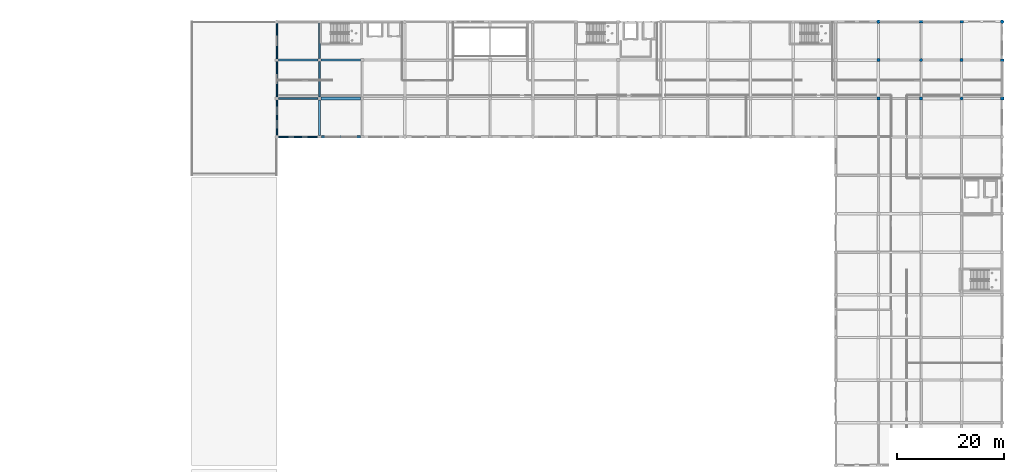
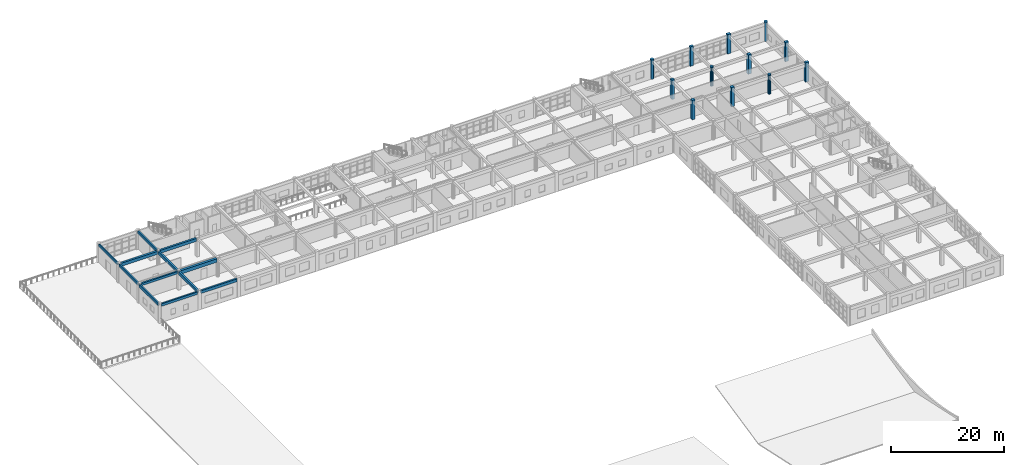
# One storey, part 8 of 53: 12 beams, 12 columns.
"""IFC4 building model written with IfcOpenShell, lengths in metres."""

from ifc_helpers import new_model, si_unit, direction, frame, origin, origin_2d, place, context, subcontext, project, spatial, rectangle, circle, extrude, material, material_profile, profile_set, type_object, element, save


model = new_model("IFC4")

# Units and contexts
model_context = context("Model", 3, precision=1e-05, world=origin(), true_north=direction((0.0, 1.0)))
body_context = subcontext(model_context, "Body", "Model", "MODEL_VIEW")
ifc_project = project(units=[si_unit("LENGTHUNIT", "METRE"), si_unit("AREAUNIT", "SQUARE_METRE"), si_unit("VOLUMEUNIT", "CUBIC_METRE"), si_unit("PLANEANGLEUNIT", "RADIAN"), si_unit("MASSUNIT", "GRAM", prefix="KILO")], contexts=[model_context])

# Site, building, storey
site_placement = place(None, origin())
site = spatial("IfcSite", under=ifc_project, at=site_placement, CompositionType="ELEMENT")
building_placement = place(site_placement, origin())
building = spatial("IfcBuilding", under=site, at=building_placement, Name="Kharva Crest Polytechnic", CompositionType="ELEMENT")
storey_placement = place(building_placement, frame((0.0, 0.0, 17.39990234375)))
storey = spatial("IfcBuildingStorey", under=building, at=storey_placement, Name="L04", CompositionType="ELEMENT", Elevation=17.39990234375)

# Columns
ifc_material_1 = material(Name="Concrete C40/50", Category="concrete")
ifc_material_profile_1 = material_profile(ifc_material_1, rectangle(XDim=0.679931640625, YDim=0.5, at=origin_2d()), Name="RECT 680 X 500")
ifc_profile_set_1 = profile_set([ifc_material_profile_1], Name="Concrete C40/50")
column_type_1 = type_object("IfcColumnType", Name="COL-EXT-680X500", PredefinedType="COLUMN", material=ifc_profile_set_1)
for number, where, z_axis, x_axis, name in (
    (1, (176.39990234375, 122.0, 0.0), (0.0, 0.0, 1.0), (1.0, 0.0, 0.0), "L04 Column 23/S"),
    (2, (184.0, 114.800048828125, 0.0), (0.0, 0.0, 1.0), (1.0, 0.0, 0.0), "L04 Column 24/R"),
):
    element("IfcColumn", number, at=place(storey_placement, frame(where, z_axis=z_axis, x_axis=x_axis)), inside=storey, type_object=column_type_1, Name=name, PredefinedType="COLUMN", context=body_context, shape_type="SweptSolid", body=[
        extrude(rectangle(XDim=0.679931640625, YDim=0.5, at=origin_2d()), origin(), (0.0, 0.0, 1.0), 4.2001953125),
    ])
ifc_material_profile_2 = material_profile(ifc_material_1, rectangle(XDim=0.699951171875, YDim=0.5, at=origin_2d()), Name="RECT 700 X 500")
ifc_profile_set_2 = profile_set([ifc_material_profile_2], Name="Concrete C40/50")
column_type_2 = type_object("IfcColumnType", Name="COL-EXT-700X500", PredefinedType="COLUMN", material=ifc_profile_set_2)
for number, where, z_axis, x_axis, name in (
    (3, (168.800048828125, 122.0, 0.0), (0.0, 0.0, 1.0), (1.0, 0.0, 0.0), "L04 Column 22/S"),
    (4, (184.0, 107.60009765625, 0.0), (0.0, 0.0, 1.0), (1.0, 0.0, 0.0), "L04 Column 24/Q"),
):
    element("IfcColumn", number, at=place(storey_placement, frame(where, z_axis=z_axis, x_axis=x_axis)), inside=storey, type_object=column_type_2, Name=name, PredefinedType="COLUMN", context=body_context, shape_type="SweptSolid", body=[
        extrude(rectangle(XDim=0.699951171875, YDim=0.5, at=origin_2d()), origin(), (0.0, 0.0, 1.0), 4.2001953125),
    ])
ifc_material_profile_3 = material_profile(ifc_material_1, circle(Radius=0.320068359375, at=origin_2d()), Name="DIA 640")
ifc_profile_set_3 = profile_set([ifc_material_profile_3], Name="Concrete C40/50")
column_type_3 = type_object("IfcColumnType", Name="COL-EXT-DIA640", PredefinedType="COLUMN", material=ifc_profile_set_3)
for number, where, z_axis, x_axis, name in (
    (5, (160.800048828125, 122.0, 0.0), (0.0, 0.0, 1.0), (1.0, 0.0, 0.0), "L04 Column 21/S"),
    (6, (184.0, 122.0, 0.0), (0.0, 0.0, 1.0), (1.0, 0.0, 0.0), "L04 Column 24/S"),
):
    element("IfcColumn", number, at=place(storey_placement, frame(where, z_axis=z_axis, x_axis=x_axis)), inside=storey, type_object=column_type_3, Name=name, PredefinedType="COLUMN", context=body_context, shape_type="SweptSolid", body=[
        extrude(circle(Radius=0.320068359375, at=origin_2d()), origin(), (0.0, 0.0, 1.0), 4.2001953125),
    ])
ifc_material_profile_4 = material_profile(ifc_material_1, rectangle(XDim=0.580078125, YDim=0.580078125, at=origin_2d()), Name="RECT 580 X 580")
ifc_profile_set_4 = profile_set([ifc_material_profile_4], Name="Concrete C40/50")
column_type_4 = type_object("IfcColumnType", Name="COL-INT-580X580", PredefinedType="COLUMN", material=ifc_profile_set_4)
for number, where, z_axis, x_axis, name in (
    (7, (160.800048828125, 114.800048828125, 0.0), (0.0, 0.0, 1.0), (1.0, 0.0, 0.0), "L04 Column 21/R"),
    (8, (168.800048828125, 107.60009765625, 0.0), (0.0, 0.0, 1.0), (1.0, 0.0, 0.0), "L04 Column 22/Q"),
):
    element("IfcColumn", number, at=place(storey_placement, frame(where, z_axis=z_axis, x_axis=x_axis)), inside=storey, type_object=column_type_4, Name=name, PredefinedType="COLUMN", context=body_context, shape_type="SweptSolid", body=[
        extrude(rectangle(XDim=0.580078125, YDim=0.580078125, at=origin_2d()), origin(), (0.0, 0.0, 1.0), 4.2001953125),
    ])
ifc_material_profile_5 = material_profile(ifc_material_1, rectangle(XDim=0.60009765625, YDim=0.60009765625, at=origin_2d()), Name="RECT 600 X 600")
ifc_profile_set_5 = profile_set([ifc_material_profile_5], Name="Concrete C40/50")
column_type_5 = type_object("IfcColumnType", Name="COL-INT-600X600", PredefinedType="COLUMN", material=ifc_profile_set_5)
for number, where, z_axis, x_axis, name in (
    (9, (160.800048828125, 107.60009765625, 0.0), (0.0, 0.0, 1.0), (1.0, 0.0, 0.0), "L04 Column 21/Q"),
    (10, (176.39990234375, 114.800048828125, 0.0), (0.0, 0.0, 1.0), (1.0, 0.0, 0.0), "L04 Column 23/R"),
):
    element("IfcColumn", number, at=place(storey_placement, frame(where, z_axis=z_axis, x_axis=x_axis)), inside=storey, type_object=column_type_5, Name=name, PredefinedType="COLUMN", context=body_context, shape_type="SweptSolid", body=[
        extrude(rectangle(XDim=0.60009765625, YDim=0.60009765625, at=origin_2d()), origin(), (0.0, 0.0, 1.0), 4.2001953125),
    ])
ifc_material_profile_6 = material_profile(ifc_material_1, circle(Radius=0.2900390625, at=origin_2d()), Name="DIA 580")
ifc_profile_set_6 = profile_set([ifc_material_profile_6], Name="Concrete C40/50")
column_type_6 = type_object("IfcColumnType", Name="COL-INT-DIA580", PredefinedType="COLUMN", material=ifc_profile_set_6)
for number, where, z_axis, x_axis, name in (
    (11, (168.800048828125, 114.800048828125, 0.0), (0.0, 0.0, 1.0), (1.0, 0.0, 0.0), "L04 Column 22/R"),
    (12, (176.39990234375, 107.60009765625, 0.0), (0.0, 0.0, 1.0), (1.0, 0.0, 0.0), "L04 Column 23/Q"),
):
    element("IfcColumn", number, at=place(storey_placement, frame(where, z_axis=z_axis, x_axis=x_axis)), inside=storey, type_object=column_type_6, Name=name, PredefinedType="COLUMN", context=body_context, shape_type="SweptSolid", body=[
        extrude(circle(Radius=0.2900390625, at=origin_2d()), origin(), (0.0, 0.0, 1.0), 4.2001953125),
    ])

# Beams
ifc_material_2 = material(Name="Concrete C35/45", Category="concrete")
ifc_material_profile_7 = material_profile(ifc_material_2, rectangle(XDim=0.320068359375, YDim=0.5, at=origin_2d()), Name="RECT 320 X 500")
ifc_profile_set_7 = profile_set([ifc_material_profile_7], Name="Concrete C35/45")
beam_type_1 = type_object("IfcBeamType", Name="BM-RC-320X500", PredefinedType="BEAM", material=ifc_profile_set_7)
beam_1_placement = place(storey_placement, frame((48.35009765625, 107.60009765625, 3.72021484375), z_axis=(1.0, 0.0, 0.0), x_axis=(0.0, 1.0, 0.0)))
element("IfcBeam", 13, at=beam_1_placement, inside=storey, type_object=beam_type_1, Name="L04 Beam Q/7-8", PredefinedType="BEAM", context=body_context, shape_type="SweptSolid", body=[
    extrude(rectangle(XDim=0.320068359375, YDim=0.5, at=origin_2d()), origin(), (0.0, 0.0, 1.0), 7.35986328125),
])
ifc_material_profile_8 = material_profile(ifc_material_2, rectangle(XDim=0.340087890625, YDim=0.52001953125, at=origin_2d()), Name="RECT 340 X 520")
ifc_profile_set_8 = profile_set([ifc_material_profile_8], Name="Concrete C35/45")
beam_type_2 = type_object("IfcBeamType", Name="BM-RC-340X520", PredefinedType="BEAM", material=ifc_profile_set_8)
beam_2_placement = place(storey_placement, frame((56.0, 115.090087890625, 3.710205078125), z_axis=(0.0, 1.0, 0.0), x_axis=(-1.0, 0.0, 0.0)))
element("IfcBeam", 14, at=beam_2_placement, inside=storey, type_object=beam_type_2, Name="L04 Girder 8/R-S", PredefinedType="BEAM", context=body_context, shape_type="SweptSolid", body=[
    extrude(rectangle(XDim=0.340087890625, YDim=0.52001953125, at=origin_2d()), origin(), (0.0, 0.0, 1.0), 6.659912109375),
])
ifc_material_profile_9 = material_profile(ifc_material_2, rectangle(XDim=0.360107421875, YDim=0.580078125, at=origin_2d()), Name="RECT 360 X 580")
ifc_profile_set_9 = profile_set([ifc_material_profile_9], Name="Concrete C35/45")
beam_type_3 = type_object("IfcBeamType", Name="BM-RC-360X580", PredefinedType="BEAM", material=ifc_profile_set_9)
beam_3_placement = place(storey_placement, frame((56.0, 107.889892578125, 3.68017578125), z_axis=(0.0, 1.0, 0.0), x_axis=(-1.0, 0.0, 0.0)))
element("IfcBeam", 15, at=beam_3_placement, inside=storey, type_object=beam_type_3, Name="L04 Girder 8/Q-R", PredefinedType="BEAM", context=body_context, shape_type="SweptSolid", body=[
    extrude(rectangle(XDim=0.360107421875, YDim=0.580078125, at=origin_2d()), origin(), (0.0, 0.0, 1.0), 6.6201171875),
])
ifc_material_profile_10 = material_profile(ifc_material_2, rectangle(XDim=0.39990234375, YDim=0.580078125, at=origin_2d()), Name="RECT 400 X 580")
ifc_profile_set_10 = profile_set([ifc_material_profile_10], Name="Concrete C35/45")
beam_type_4 = type_object("IfcBeamType", Name="BM-RC-400X580", PredefinedType="BEAM", material=ifc_profile_set_10)
beam_4_placement = place(storey_placement, frame((56.0, 100.64990234375, 3.68017578125), z_axis=(0.0, 1.0, 0.0), x_axis=(-1.0, 0.0, 0.0)))
element("IfcBeam", 16, at=beam_4_placement, inside=storey, type_object=beam_type_4, Name="L04 Girder 8/P-Q", PredefinedType="BEAM", context=body_context, shape_type="SweptSolid", body=[
    extrude(rectangle(XDim=0.39990234375, YDim=0.580078125, at=origin_2d()), origin(), (0.0, 0.0, 1.0), 6.66015625),
])
ifc_material_profile_11 = material_profile(ifc_material_2, rectangle(XDim=0.39990234375, YDim=0.64990234375, at=origin_2d()), Name="RECT 400 X 650")
ifc_profile_set_11 = profile_set([ifc_material_profile_11], Name="Concrete C35/45")
beam_type_5 = type_object("IfcBeamType", Name="BM-RC-400X650", PredefinedType="BEAM", material=ifc_profile_set_11)
beam_5_placement = place(storey_placement, frame((56.2900390625, 114.800048828125, 3.64501953125), z_axis=(1.0, 0.0, 0.0), x_axis=(0.0, 1.0, 0.0)))
element("IfcBeam", 17, at=beam_5_placement, inside=storey, type_object=beam_type_5, Name="L04 Beam R/8-9", PredefinedType="BEAM", context=body_context, shape_type="SweptSolid", body=[
    extrude(rectangle(XDim=0.39990234375, YDim=0.64990234375, at=origin_2d()), origin(), (0.0, 0.0, 1.0), 7.409912109375),
])
ifc_material_profile_12 = material_profile(ifc_material_2, rectangle(XDim=0.419921875, YDim=0.659912109375, at=origin_2d()), Name="RECT 420 X 660")
ifc_profile_set_12 = profile_set([ifc_material_profile_12], Name="Concrete C35/45")
beam_type_6 = type_object("IfcBeamType", Name="BM-RC-420X660", PredefinedType="BEAM", material=ifc_profile_set_12)
beam_6_placement = place(storey_placement, frame((48.340087890625, 114.800048828125, 3.64013671875), z_axis=(1.0, 0.0, 0.0), x_axis=(0.0, 1.0, 0.0)))
element("IfcBeam", 18, at=beam_6_placement, inside=storey, type_object=beam_type_6, Name="L04 Beam R/7-8", PredefinedType="BEAM", context=body_context, shape_type="SweptSolid", body=[
    extrude(rectangle(XDim=0.419921875, YDim=0.659912109375, at=origin_2d()), origin(), (0.0, 0.0, 1.0), 7.369873046875),
])
ifc_material_profile_13 = material_profile(ifc_material_2, rectangle(XDim=0.47998046875, YDim=0.75, at=origin_2d()), Name="RECT 480 X 750")
ifc_profile_set_13 = profile_set([ifc_material_profile_13], Name="Concrete C35/45")
beam_type_7 = type_object("IfcBeamType", Name="BM-RC-480X750", PredefinedType="BEAM", material=ifc_profile_set_13)
beam_7_placement = place(storey_placement, frame((56.2900390625, 107.60009765625, 3.59521484375), z_axis=(1.0, 0.0, 0.0), x_axis=(0.0, 1.0, 0.0)))
element("IfcBeam", 19, at=beam_7_placement, inside=storey, type_object=beam_type_7, Name="L04 Beam Q/8-9", PredefinedType="BEAM", context=body_context, shape_type="SweptSolid", body=[
    extrude(rectangle(XDim=0.47998046875, YDim=0.75, at=origin_2d()), origin(), (0.0, 0.0, 1.0), 7.419921875),
])
ifc_material_profile_14 = material_profile(ifc_material_2, rectangle(XDim=0.280029296875, YDim=0.4599609375, at=origin_2d()), Name="RECT 280 X 460")
ifc_profile_set_14 = profile_set([ifc_material_profile_14], Name="Concrete C35/45")
beam_type_8 = type_object("IfcBeamType", Name="SP-RC-280X460", PredefinedType="SPANDREL", material=ifc_profile_set_14)
beam_8_placement = place(storey_placement, frame((48.0, 115.050048828125, 3.739990234375), z_axis=(0.0, 1.0, 0.0), x_axis=(-1.0, 0.0, 0.0)))
element("IfcBeam", 20, at=beam_8_placement, inside=storey, type_object=beam_type_8, Name="L04 Girder 7/R-S", PredefinedType="SPANDREL", context=body_context, shape_type="SweptSolid", body=[
    extrude(rectangle(XDim=0.280029296875, YDim=0.4599609375, at=origin_2d()), origin(), (0.0, 0.0, 1.0), 6.6298828125),
])
ifc_material_profile_15 = material_profile(ifc_material_2, rectangle(XDim=0.300048828125, YDim=0.52001953125, at=origin_2d()), Name="RECT 300 X 520")
ifc_profile_set_15 = profile_set([ifc_material_profile_15], Name="Concrete C35/45")
beam_type_9 = type_object("IfcBeamType", Name="SP-RC-300X520", PredefinedType="SPANDREL", material=ifc_profile_set_15)
beam_9_placement = place(storey_placement, frame((48.0, 107.85009765625, 3.710205078125), z_axis=(0.0, 1.0, 0.0), x_axis=(-1.0, 0.0, 0.0)))
element("IfcBeam", 21, at=beam_9_placement, inside=storey, type_object=beam_type_9, Name="L04 Girder 7/Q-R", PredefinedType="SPANDREL", context=body_context, shape_type="SweptSolid", body=[
    extrude(rectangle(XDim=0.300048828125, YDim=0.52001953125, at=origin_2d()), origin(), (0.0, 0.0, 1.0), 6.699951171875),
])
ifc_material_profile_16 = material_profile(ifc_material_2, rectangle(XDim=0.300048828125, YDim=0.550048828125, at=origin_2d()), Name="RECT 300 X 550")
ifc_profile_set_16 = profile_set([ifc_material_profile_16], Name="Concrete C35/45")
beam_type_10 = type_object("IfcBeamType", Name="SP-RC-300X550", PredefinedType="SPANDREL", material=ifc_profile_set_16)
beam_10_placement = place(storey_placement, frame((48.320068359375, 100.39990234375, 3.695068359375), z_axis=(1.0, 0.0, 0.0), x_axis=(0.0, 1.0, 0.0)))
element("IfcBeam", 22, at=beam_10_placement, inside=storey, type_object=beam_type_10, Name="L04 Beam P/7-8", PredefinedType="SPANDREL", context=body_context, shape_type="SweptSolid", body=[
    extrude(rectangle(XDim=0.300048828125, YDim=0.550048828125, at=origin_2d()), origin(), (0.0, 0.0, 1.0), 7.329833984375),
])
ifc_material_profile_17 = material_profile(ifc_material_2, rectangle(XDim=0.320068359375, YDim=0.580078125, at=origin_2d()), Name="RECT 320 X 580")
ifc_profile_set_17 = profile_set([ifc_material_profile_17], Name="Concrete C35/45")
beam_type_11 = type_object("IfcBeamType", Name="SP-RC-320X580", PredefinedType="SPANDREL", material=ifc_profile_set_17)
beam_11_placement = place(storey_placement, frame((48.0, 100.719970703125, 3.68017578125), z_axis=(0.0, 1.0, 0.0), x_axis=(-1.0, 0.0, 0.0)))
element("IfcBeam", 23, at=beam_11_placement, inside=storey, type_object=beam_type_11, Name="L04 Girder 7/P-Q", PredefinedType="SPANDREL", context=body_context, shape_type="SweptSolid", body=[
    extrude(rectangle(XDim=0.320068359375, YDim=0.580078125, at=origin_2d()), origin(), (0.0, 0.0, 1.0), 6.630126953125),
])
ifc_material_profile_18 = material_profile(ifc_material_2, rectangle(XDim=0.340087890625, YDim=0.60009765625, at=origin_2d()), Name="RECT 340 X 600")
ifc_profile_set_18 = profile_set([ifc_material_profile_18], Name="Concrete C35/45")
beam_type_12 = type_object("IfcBeamType", Name="SP-RC-340X600", PredefinedType="SPANDREL", material=ifc_profile_set_18)
beam_12_placement = place(storey_placement, frame((56.35009765625, 100.39990234375, 3.670166015625), z_axis=(1.0, 0.0, 0.0), x_axis=(0.0, 1.0, 0.0)))
element("IfcBeam", 24, at=beam_12_placement, inside=storey, type_object=beam_type_12, Name="L04 Beam P/8-9", PredefinedType="SPANDREL", context=body_context, shape_type="SweptSolid", body=[
    extrude(rectangle(XDim=0.340087890625, YDim=0.60009765625, at=origin_2d()), origin(), (0.0, 0.0, 1.0), 7.309814453125),
])

save(model, "model.ifc")
